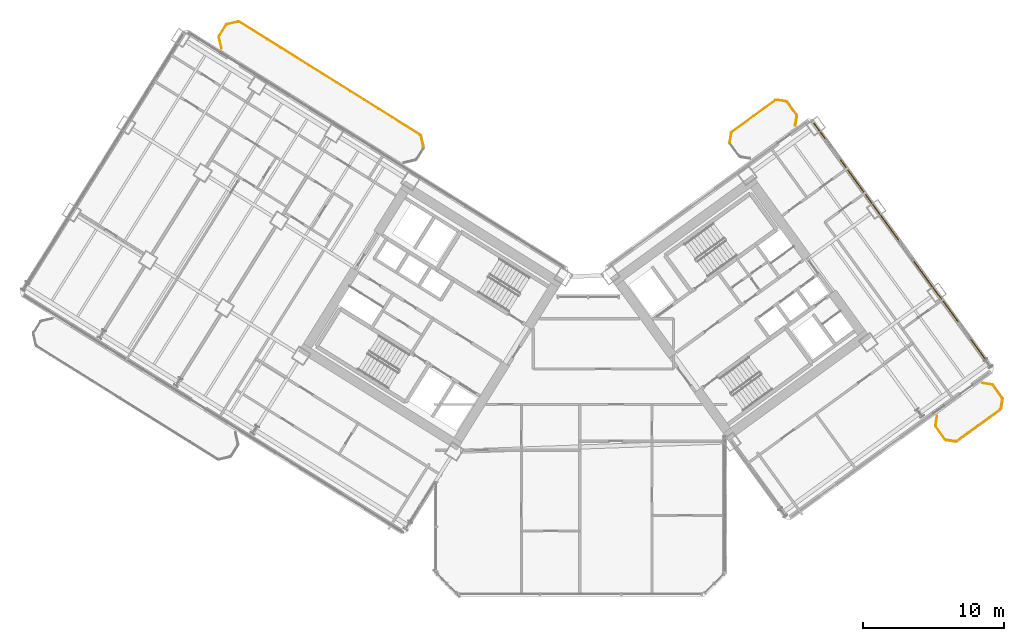
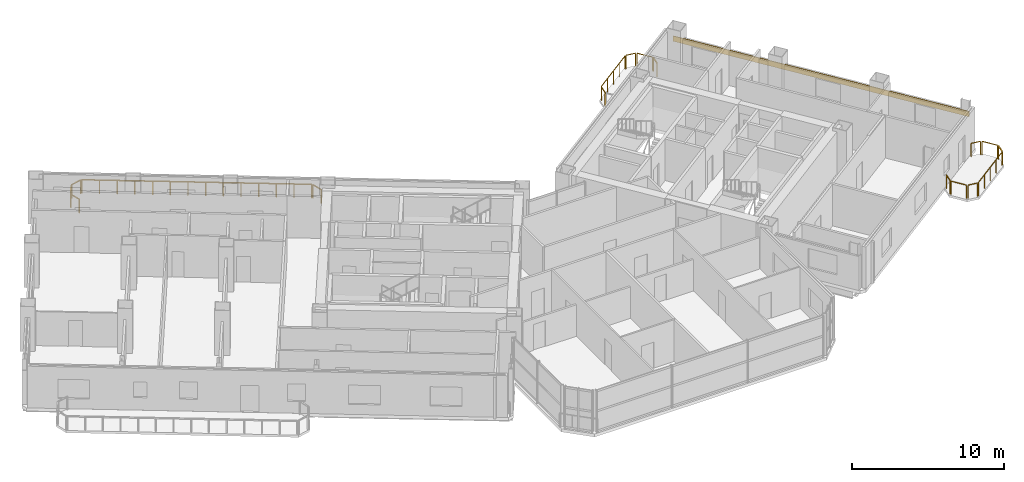
# One storey, part 28 of 28: 17 railings, 1 covering.
"""IFC4 building model written with IfcOpenShell, lengths in metres."""

from ifc_helpers import new_model, si_unit, direction, frame, origin, origin_2d, place, context, subcontext, project, spatial, rectangle, extrude, source, transform, mapped, material, layer, layer_set, type_object, element, save


model = new_model("IFC4")

# Units and contexts
model_context = context("Model", 3, precision=1e-05, world=origin(), true_north=direction((0.0, 1.0)))
body_context = subcontext(model_context, "Body", "Model", "MODEL_VIEW")
ifc_project = project(units=[si_unit("LENGTHUNIT", "METRE"), si_unit("AREAUNIT", "SQUARE_METRE"), si_unit("VOLUMEUNIT", "CUBIC_METRE"), si_unit("PLANEANGLEUNIT", "RADIAN"), si_unit("MASSUNIT", "GRAM", prefix="KILO")], contexts=[model_context])

# Site, building, storey
site_placement = place(None, origin())
site = spatial("IfcSite", under=ifc_project, at=site_placement, CompositionType="ELEMENT")
building_placement = place(site_placement, origin())
building = spatial("IfcBuilding", under=site, at=building_placement, Name="Tlacorven Tower", CompositionType="ELEMENT")
storey_placement = place(building_placement, frame((0.0, 0.0, 34.800048828125)))
storey = spatial("IfcBuildingStorey", under=building, at=storey_placement, Name="L08", CompositionType="ELEMENT", Elevation=34.800048828125)

# Railings
ifc_material_1 = material(Name="Aluminium and painted steel balustrade", Category="steel")
railing_type = type_object("IfcRailingType", Name="RL-BAL-1100", PredefinedType="BALUSTRADE", material=ifc_material_1)
shared_shape_1 = source(origin(), body_context, "Body", "SweptSolid", [
    extrude(rectangle(XDim=0.048095703125, YDim=0.048095703125, at=origin_2d()), frame((0.0, 0.0, 1.076171875), z_axis=(0.225058334816, -0.974345290916, 0.0), x_axis=(0.974345290916, 0.225058334816, 0.0)), (0.0, 0.0, 1.0), 0.80712890625),
    extrude(rectangle(XDim=0.0419921875, YDim=0.0419921875, at=origin_2d()), origin(), (0.0, 0.0, 1.0), 1.052001953125),
    extrude(rectangle(XDim=0.0419921875, YDim=0.0419921875, at=origin_2d()), frame((0.181640625, -0.786376953125, 0.0)), (0.0, 0.0, 1.0), 1.052001953125),
])
railing_1_placement = place(storey_placement, frame((30.6796875, 34.466064453125, 0.0)))
element("IfcRailing", 1, at=railing_1_placement, inside=storey, type_object=railing_type, Name="BAL-L08-W-IN Guard Railing 1", PredefinedType="BALUSTRADE", context=body_context, shape_type="MappedRepresentation", body=[
    mapped(shared_shape_1, transform((0.0, 0.0, 0.0), scale=1.0)),
])
shared_shape_2 = source(origin(), body_context, "Body", "SweptSolid", [
    extrude(rectangle(XDim=0.048095703125, YDim=0.048095703125, at=origin_2d()), frame((0.0, 0.0, 1.076171875), z_axis=(-0.225058334816, 0.974345290916, 0.0), x_axis=(-0.974345290916, -0.225058334816, 0.0)), (0.0, 0.0, 1.0), 0.80712890625),
    extrude(rectangle(XDim=0.0419921875, YDim=0.0419921875, at=origin_2d()), origin(), (0.0, 0.0, 1.0), 1.052001953125),
    extrude(rectangle(XDim=0.0419921875, YDim=0.0419921875, at=origin_2d()), frame((-0.181640625, 0.786376953125, 0.0)), (0.0, 0.0, 1.0), 1.052001953125),
])
railing_2_placement = place(storey_placement, frame((16.5361328125, 40.68115234375, 0.0)))
element("IfcRailing", 2, at=railing_2_placement, inside=storey, type_object=railing_type, Name="BAL-L08-W-IN Guard Railing 4", PredefinedType="BALUSTRADE", context=body_context, shape_type="MappedRepresentation", body=[
    mapped(shared_shape_2, transform((0.0, 0.0, 0.0), scale=1.0)),
])
shared_shape_3 = source(origin(), body_context, "Body", "SweptSolid", [
    extrude(rectangle(XDim=0.048095703125, YDim=0.048095703125, at=origin_2d()), frame((0.0, 0.0, 1.076171875), z_axis=(0.52987865805, 0.848073468364, 0.0), x_axis=(-0.848073468364, 0.52987865805, 0.0)), (0.0, 0.0, 1.0), 0.912353515625),
    extrude(rectangle(XDim=0.0419921875, YDim=0.0419921875, at=origin_2d()), origin(), (0.0, 0.0, 1.0), 1.052001953125),
    extrude(rectangle(XDim=0.0419921875, YDim=0.0419921875, at=origin_2d()), frame((0.4833984375, 0.773681640625, 0.0)), (0.0, 0.0, 1.0), 1.052001953125),
])
railing_3_placement = place(storey_placement, frame((16.369873046875, 41.55859375, 0.0)))
element("IfcRailing", 3, at=railing_3_placement, inside=storey, type_object=railing_type, Name="BAL-L08-W-IN Guard Railing 5", PredefinedType="BALUSTRADE", context=body_context, shape_type="MappedRepresentation", body=[
    mapped(shared_shape_3, transform((0.0, 0.0, 0.0), scale=1.0)),
])
shared_shape_4 = source(origin(), body_context, "Body", "SweptSolid", [
    extrude(rectangle(XDim=0.048095703125, YDim=0.048095703125, at=origin_2d()), frame((0.0, 0.0, 1.076171875), z_axis=(0.974411586182, 0.224771129628, 0.0), x_axis=(-0.224771129628, 0.974411586182, 0.0)), (0.0, 0.0, 1.0), 0.80712890625),
    extrude(rectangle(XDim=0.0419921875, YDim=0.0419921875, at=origin_2d()), origin(), (0.0, 0.0, 1.0), 1.052001953125),
    extrude(rectangle(XDim=0.0419921875, YDim=0.0419921875, at=origin_2d()), frame((0.786376953125, 0.181396484375, 0.0)), (0.0, 0.0, 1.0), 1.052001953125),
])
railing_4_placement = place(storey_placement, frame((16.928466796875, 42.385986328125, 0.0)))
element("IfcRailing", 4, at=railing_4_placement, inside=storey, type_object=railing_type, Name="BAL-L08-W-IN Guard Railing 6", PredefinedType="BALUSTRADE", context=body_context, shape_type="MappedRepresentation", body=[
    mapped(shared_shape_4, transform((0.0, 0.0, 0.0), scale=1.0)),
])
shared_shape_5 = source(origin(), body_context, "Body", "SweptSolid", [
    extrude(rectangle(XDim=0.048095703125, YDim=0.048095703125, at=origin_2d()), frame((0.0, 0.0, 1.076171875), z_axis=(0.848044572804, -0.529924902733, 0.0), x_axis=(0.529924902733, 0.848044572804, 0.0)), (0.0, 0.0, 1.0), 15.1171875),
    extrude(rectangle(XDim=0.0419921875, YDim=0.0419921875, at=origin_2d()), origin(), (0.0, 0.0, 1.0), 1.052001953125),
    extrude(rectangle(XDim=0.0419921875, YDim=0.0419921875, at=origin_2d()), frame((0.986083984375, -0.6162109375, 0.0)), (0.0, 0.0, 1.0), 1.052001953125),
    extrude(rectangle(XDim=0.0419921875, YDim=0.0419921875, at=origin_2d()), frame((1.972412109375, -1.232421875, 0.0)), (0.0, 0.0, 1.0), 1.052001953125),
    extrude(rectangle(XDim=0.0419921875, YDim=0.0419921875, at=origin_2d()), frame((2.95849609375, -1.8486328125, 0.0)), (0.0, 0.0, 1.0), 1.052001953125),
    extrude(rectangle(XDim=0.0419921875, YDim=0.0419921875, at=origin_2d()), frame((3.944580078125, -2.46484375, 0.0)), (0.0, 0.0, 1.0), 1.052001953125),
    extrude(rectangle(XDim=0.0419921875, YDim=0.0419921875, at=origin_2d()), frame((4.930908203125, -3.0810546875, 0.0)), (0.0, 0.0, 1.0), 1.052001953125),
    extrude(rectangle(XDim=0.0419921875, YDim=0.0419921875, at=origin_2d()), frame((5.9169921875, -3.697265625, 0.0)), (0.0, 0.0, 1.0), 1.052001953125),
    extrude(rectangle(XDim=0.0419921875, YDim=0.0419921875, at=origin_2d()), frame((6.903076171875, -4.313720703125, 0.0)), (0.0, 0.0, 1.0), 1.052001953125),
    extrude(rectangle(XDim=0.0419921875, YDim=0.0419921875, at=origin_2d()), frame((7.88916015625, -4.929931640625, 0.0)), (0.0, 0.0, 1.0), 1.052001953125),
    extrude(rectangle(XDim=0.0419921875, YDim=0.0419921875, at=origin_2d()), frame((8.87548828125, -5.546142578125, 0.0)), (0.0, 0.0, 1.0), 1.052001953125),
    extrude(rectangle(XDim=0.0419921875, YDim=0.0419921875, at=origin_2d()), frame((9.861572265625, -6.162353515625, 0.0)), (0.0, 0.0, 1.0), 1.052001953125),
    extrude(rectangle(XDim=0.0419921875, YDim=0.0419921875, at=origin_2d()), frame((10.84765625, -6.778564453125, 0.0)), (0.0, 0.0, 1.0), 1.052001953125),
    extrude(rectangle(XDim=0.0419921875, YDim=0.0419921875, at=origin_2d()), frame((11.833984375, -7.394775390625, 0.0)), (0.0, 0.0, 1.0), 1.052001953125),
    extrude(rectangle(XDim=0.0419921875, YDim=0.0419921875, at=origin_2d()), frame((12.820068359375, -8.010986328125, 0.0)), (0.0, 0.0, 1.0), 1.052001953125),
])
railing_5_placement = place(storey_placement, frame((17.805908203125, 42.55224609375, 0.0)))
element("IfcRailing", 5, at=railing_5_placement, inside=storey, type_object=railing_type, Name="BAL-L08-W-IN Guard Railing 7", PredefinedType="BALUSTRADE", context=body_context, shape_type="MappedRepresentation", body=[
    mapped(shared_shape_5, transform((0.0, 0.0, 0.0), scale=1.0)),
])
shared_shape_6 = source(origin(), body_context, "Body", "SweptSolid", [
    extrude(rectangle(XDim=0.048095703125, YDim=0.048095703125, at=origin_2d()), frame((0.0, 0.0, 1.076171875), z_axis=(-0.987661653326, 0.156602868908, 0.0), x_axis=(-0.156602868908, -0.987661653326, 0.0)), (0.0, 0.0, 1.0), 0.665771484375),
    extrude(rectangle(XDim=0.0419921875, YDim=0.0419921875, at=origin_2d()), origin(), (0.0, 0.0, 1.0), 1.052001953125),
    extrude(rectangle(XDim=0.0419921875, YDim=0.0419921875, at=origin_2d()), frame((-0.657470703125, 0.104248046875, 0.0)), (0.0, 0.0, 1.0), 1.052001953125),
])
railing_6_placement = place(storey_placement, frame((68.59521484375, 12.7919921875, 0.0)))
element("IfcRailing", 6, at=railing_6_placement, inside=storey, type_object=railing_type, Name="BAL-L08-E-OUT Guard Railing 1", PredefinedType="BALUSTRADE", context=body_context, shape_type="MappedRepresentation", body=[
    mapped(shared_shape_6, transform((0.0, 0.0, 0.0), scale=1.0)),
])
shared_shape_7 = source(origin(), body_context, "Body", "SweptSolid", [
    extrude(rectangle(XDim=0.048095703125, YDim=0.048095703125, at=origin_2d()), frame((0.0, 0.0, 1.076171875), z_axis=(-0.58788449985, 0.808944877501, 0.0), x_axis=(-0.808944877501, -0.58788449985, 0.0)), (0.0, 0.0, 1.0), 1.112060546875),
    extrude(rectangle(XDim=0.0419921875, YDim=0.0419921875, at=origin_2d()), origin(), (0.0, 0.0, 1.0), 1.052001953125),
    extrude(rectangle(XDim=0.0419921875, YDim=0.0419921875, at=origin_2d()), frame((-0.65380859375, 0.899658203125, 0.0)), (0.0, 0.0, 1.0), 1.052001953125),
])
railing_7_placement = place(storey_placement, frame((67.85888671875, 12.944580078125, 0.0)))
element("IfcRailing", 7, at=railing_7_placement, inside=storey, type_object=railing_type, Name="BAL-L08-E-OUT Guard Railing 2", PredefinedType="BALUSTRADE", context=body_context, shape_type="MappedRepresentation", body=[
    mapped(shared_shape_7, transform((0.0, 0.0, 0.0), scale=1.0)),
])
shared_shape_8 = source(origin(), body_context, "Body", "SweptSolid", [
    extrude(rectangle(XDim=0.048095703125, YDim=0.048095703125, at=origin_2d()), frame((0.0, 0.0, 1.076171875), z_axis=(0.156602868908, 0.987661653326, 0.0), x_axis=(-0.987661653326, 0.156602868908, 0.0)), (0.0, 0.0, 1.0), 0.665771484375),
    extrude(rectangle(XDim=0.0419921875, YDim=0.0419921875, at=origin_2d()), origin(), (0.0, 0.0, 1.0), 1.052001953125),
    extrude(rectangle(XDim=0.0419921875, YDim=0.0419921875, at=origin_2d()), frame((0.104248046875, 0.657470703125, 0.0)), (0.0, 0.0, 1.0), 1.052001953125),
])
railing_8_placement = place(storey_placement, frame((67.18359375, 13.93408203125, 0.0)))
element("IfcRailing", 8, at=railing_8_placement, inside=storey, type_object=railing_type, Name="BAL-L08-E-OUT Guard Railing 3", PredefinedType="BALUSTRADE", context=body_context, shape_type="MappedRepresentation", body=[
    mapped(shared_shape_8, transform((0.0, 0.0, 0.0), scale=1.0)),
])
shared_shape_9 = source(origin(), body_context, "Body", "SweptSolid", [
    extrude(rectangle(XDim=0.048095703125, YDim=0.048095703125, at=origin_2d()), frame((0.0, 0.0, 1.076171875), z_axis=(0.987718317463, -0.156245081039, 0.0), x_axis=(0.156245081039, 0.987718317463, 0.0)), (0.0, 0.0, 1.0), 0.66552734375),
    extrude(rectangle(XDim=0.0419921875, YDim=0.0419921875, at=origin_2d()), origin(), (0.0, 0.0, 1.0), 1.052001953125),
    extrude(rectangle(XDim=0.0419921875, YDim=0.0419921875, at=origin_2d()), frame((0.657470703125, -0.10400390625, 0.0)), (0.0, 0.0, 1.0), 1.052001953125),
])
railing_9_placement = place(storey_placement, frame((70.513916015625, 16.935546875, 0.0)))
element("IfcRailing", 9, at=railing_9_placement, inside=storey, type_object=railing_type, Name="BAL-L08-E-OUT Guard Railing 4", PredefinedType="BALUSTRADE", context=body_context, shape_type="MappedRepresentation", body=[
    mapped(shared_shape_9, transform((0.0, 0.0, 0.0), scale=1.0)),
])
shared_shape_10 = source(origin(), body_context, "Body", "SweptSolid", [
    extrude(rectangle(XDim=0.048095703125, YDim=0.048095703125, at=origin_2d()), frame((0.0, 0.0, 1.076171875), z_axis=(0.58788449985, -0.808944877501, 0.0), x_axis=(0.808944877501, 0.58788449985, 0.0)), (0.0, 0.0, 1.0), 1.112060546875),
    extrude(rectangle(XDim=0.0419921875, YDim=0.0419921875, at=origin_2d()), origin(), (0.0, 0.0, 1.0), 1.052001953125),
    extrude(rectangle(XDim=0.0419921875, YDim=0.0419921875, at=origin_2d()), frame((0.65380859375, -0.899658203125, 0.0)), (0.0, 0.0, 1.0), 1.052001953125),
])
for number, where, name in (
    (10, (71.250244140625, 16.783203125, 0.0), "BAL-L08-E-OUT Guard Railing 5"),
    (11, (56.658447265625, 36.866943359375, 0.0), "BAL-L08-E-IN Guard Railing 6"),
):
    element("IfcRailing", number, at=place(storey_placement, frame(where)), inside=storey, type_object=railing_type, Name=name, PredefinedType="BALUSTRADE", context=body_context, shape_type="MappedRepresentation", body=[
        mapped(shared_shape_10, transform((0.0, 0.0, 0.0), scale=1.0)),
    ])
shared_shape_11 = source(origin(), body_context, "Body", "SweptSolid", [
    extrude(rectangle(XDim=0.048095703125, YDim=0.048095703125, at=origin_2d()), frame((0.0, 0.0, 1.076171875), z_axis=(-0.156188498702, -0.987727266442, 0.0), x_axis=(0.987727266442, -0.156188498702, 0.0)), (0.0, 0.0, 1.0), 0.665771484375),
    extrude(rectangle(XDim=0.0419921875, YDim=0.0419921875, at=origin_2d()), origin(), (0.0, 0.0, 1.0), 1.052001953125),
    extrude(rectangle(XDim=0.0419921875, YDim=0.0419921875, at=origin_2d()), frame((-0.10400390625, -0.65771484375, 0.0)), (0.0, 0.0, 1.0), 1.052001953125),
])
railing_10_placement = place(storey_placement, frame((71.925537109375, 15.793701171875, 0.0)))
element("IfcRailing", 12, at=railing_10_placement, inside=storey, type_object=railing_type, Name="BAL-L08-E-OUT Guard Railing 6", PredefinedType="BALUSTRADE", context=body_context, shape_type="MappedRepresentation", body=[
    mapped(shared_shape_11, transform((0.0, 0.0, 0.0), scale=1.0)),
])
shared_shape_12 = source(origin(), body_context, "Body", "SweptSolid", [
    extrude(rectangle(XDim=0.048095703125, YDim=0.048095703125, at=origin_2d()), frame((0.0, 0.0, 1.076171875), z_axis=(-0.809018102573, -0.587783726986, 0.0), x_axis=(0.587783726986, -0.809018102573, 0.0)), (0.0, 0.0, 1.0), 3.817138671875),
    extrude(rectangle(XDim=0.0419921875, YDim=0.0419921875, at=origin_2d()), origin(), (0.0, 0.0, 1.0), 1.052001953125),
    extrude(rectangle(XDim=0.0419921875, YDim=0.0419921875, at=origin_2d()), frame((-0.77197265625, -0.56103515625, 0.0)), (0.0, 0.0, 1.0), 1.052001953125),
    extrude(rectangle(XDim=0.0419921875, YDim=0.0419921875, at=origin_2d()), frame((-1.5439453125, -1.121826171875, 0.0)), (0.0, 0.0, 1.0), 1.052001953125),
    extrude(rectangle(XDim=0.0419921875, YDim=0.0419921875, at=origin_2d()), frame((-2.316162109375, -1.6826171875, 0.0)), (0.0, 0.0, 1.0), 1.052001953125),
    extrude(rectangle(XDim=0.0419921875, YDim=0.0419921875, at=origin_2d()), frame((-3.088134765625, -2.24365234375, 0.0)), (0.0, 0.0, 1.0), 1.052001953125),
])
railing_11_placement = place(storey_placement, frame((71.773193359375, 15.057373046875, 0.0)))
element("IfcRailing", 13, at=railing_11_placement, inside=storey, type_object=railing_type, Name="BAL-L08-E-OUT Guard Railing 7", PredefinedType="BALUSTRADE", context=body_context, shape_type="MappedRepresentation", body=[
    mapped(shared_shape_12, transform((0.0, 0.0, 0.0), scale=1.0)),
])
shared_shape_13 = source(origin(), body_context, "Body", "SweptSolid", [
    extrude(rectangle(XDim=0.048095703125, YDim=0.048095703125, at=origin_2d()), frame((0.0, 0.0, 1.076171875), z_axis=(0.156546163506, 0.987670642822, 0.0), x_axis=(-0.987670642822, 0.156546163506, 0.0)), (0.0, 0.0, 1.0), 0.666015625),
    extrude(rectangle(XDim=0.0419921875, YDim=0.0419921875, at=origin_2d()), origin(), (0.0, 0.0, 1.0), 1.052001953125),
    extrude(rectangle(XDim=0.0419921875, YDim=0.0419921875, at=origin_2d()), frame((0.104248046875, 0.65771484375, 0.0)), (0.0, 0.0, 1.0), 1.052001953125),
])
railing_12_placement = place(storey_placement, frame((52.591796875, 34.017822265625, 0.0)))
element("IfcRailing", 14, at=railing_12_placement, inside=storey, type_object=railing_type, Name="BAL-L08-E-IN Guard Railing 3", PredefinedType="BALUSTRADE", context=body_context, shape_type="MappedRepresentation", body=[
    mapped(shared_shape_13, transform((0.0, 0.0, 0.0), scale=1.0)),
])
shared_shape_14 = source(origin(), body_context, "Body", "SweptSolid", [
    extrude(rectangle(XDim=0.048095703125, YDim=0.048095703125, at=origin_2d()), frame((0.0, 0.0, 1.076171875), z_axis=(0.809040198054, 0.587753313843, 0.0), x_axis=(-0.587753313843, 0.809040198054, 0.0)), (0.0, 0.0, 1.0), 3.8173828125),
    extrude(rectangle(XDim=0.0419921875, YDim=0.0419921875, at=origin_2d()), origin(), (0.0, 0.0, 1.0), 1.052001953125),
    extrude(rectangle(XDim=0.0419921875, YDim=0.0419921875, at=origin_2d()), frame((0.77197265625, 0.56103515625, 0.0)), (0.0, 0.0, 1.0), 1.052001953125),
    extrude(rectangle(XDim=0.0419921875, YDim=0.0419921875, at=origin_2d()), frame((1.544189453125, 1.121826171875, 0.0)), (0.0, 0.0, 1.0), 1.052001953125),
    extrude(rectangle(XDim=0.0419921875, YDim=0.0419921875, at=origin_2d()), frame((2.31640625, 1.6826171875, 0.0)), (0.0, 0.0, 1.0), 1.052001953125),
    extrude(rectangle(XDim=0.0419921875, YDim=0.0419921875, at=origin_2d()), frame((3.08837890625, 2.24365234375, 0.0)), (0.0, 0.0, 1.0), 1.052001953125),
])
railing_13_placement = place(storey_placement, frame((52.744140625, 34.754150390625, 0.0)))
element("IfcRailing", 15, at=railing_13_placement, inside=storey, type_object=railing_type, Name="BAL-L08-E-IN Guard Railing 4", PredefinedType="BALUSTRADE", context=body_context, shape_type="MappedRepresentation", body=[
    mapped(shared_shape_14, transform((0.0, 0.0, 0.0), scale=1.0)),
])
shared_shape_15 = source(origin(), body_context, "Body", "SweptSolid", [
    extrude(rectangle(XDim=0.048095703125, YDim=0.048095703125, at=origin_2d()), frame((0.0, 0.0, 1.076171875), z_axis=(0.987670642822, -0.156546163506, 0.0), x_axis=(0.156546163506, 0.987670642822, 0.0)), (0.0, 0.0, 1.0), 0.666015625),
    extrude(rectangle(XDim=0.0419921875, YDim=0.0419921875, at=origin_2d()), origin(), (0.0, 0.0, 1.0), 1.052001953125),
    extrude(rectangle(XDim=0.0419921875, YDim=0.0419921875, at=origin_2d()), frame((0.65771484375, -0.104248046875, 0.0)), (0.0, 0.0, 1.0), 1.052001953125),
])
railing_14_placement = place(storey_placement, frame((55.922119140625, 37.01953125, 0.0)))
element("IfcRailing", 16, at=railing_14_placement, inside=storey, type_object=railing_type, Name="BAL-L08-E-IN Guard Railing 5", PredefinedType="BALUSTRADE", context=body_context, shape_type="MappedRepresentation", body=[
    mapped(shared_shape_15, transform((0.0, 0.0, 0.0), scale=1.0)),
])
shared_shape_16 = source(origin(), body_context, "Body", "SweptSolid", [
    extrude(rectangle(XDim=0.048095703125, YDim=0.048095703125, at=origin_2d()), frame((0.0, 0.0, 1.076171875), z_axis=(-0.156245081039, -0.987718317463, 0.0), x_axis=(0.987718317463, -0.156245081039, 0.0)), (0.0, 0.0, 1.0), 0.66552734375),
    extrude(rectangle(XDim=0.0419921875, YDim=0.0419921875, at=origin_2d()), origin(), (0.0, 0.0, 1.0), 1.052001953125),
    extrude(rectangle(XDim=0.0419921875, YDim=0.0419921875, at=origin_2d()), frame((-0.10400390625, -0.657470703125, 0.0)), (0.0, 0.0, 1.0), 1.052001953125),
])
railing_15_placement = place(storey_placement, frame((57.333740234375, 35.87744140625, 0.0)))
element("IfcRailing", 17, at=railing_15_placement, inside=storey, type_object=railing_type, Name="BAL-L08-E-IN Guard Railing 7", PredefinedType="BALUSTRADE", context=body_context, shape_type="MappedRepresentation", body=[
    mapped(shared_shape_16, transform((0.0, 0.0, 0.0), scale=1.0)),
])

# Covering
ifc_material_2 = material(Name="Precast concrete C45/55", Category="concrete")
ifc_layer = layer(ifc_material_2, 0.06005859375)
ifc_layer_set = layer_set([ifc_layer], Name="Precast concrete C45/55")
covering_type = type_object("IfcCoveringType", Name="CV-CLD-TERC", PredefinedType="CLADDING", material=ifc_layer_set)
shared_shape_17 = source(origin(), body_context, "Body", "SweptSolid", [
    extrude(rectangle(XDim=21.287353515625, YDim=0.06005859375, at=origin_2d()), origin(), (0.0, 0.0, 1.0), 0.419921875),
])
covering_placement = place(storey_placement, frame((64.799072265625, 26.75146484375, 2.304931640625), z_axis=(0.0, 0.0, 1.0), x_axis=(0.587785363163, -0.809016913823, 0.0)))
element("IfcCovering", 18, at=covering_placement, inside=storey, type_object=covering_type, Name="L08 Masonry-Frame Spandrel Cladding 5", PredefinedType="CLADDING", context=body_context, shape_type="MappedRepresentation", body=[
    mapped(shared_shape_17, transform((0.0, 0.0, 0.0), scale=1.0)),
])

save(model, "model.ifc")
